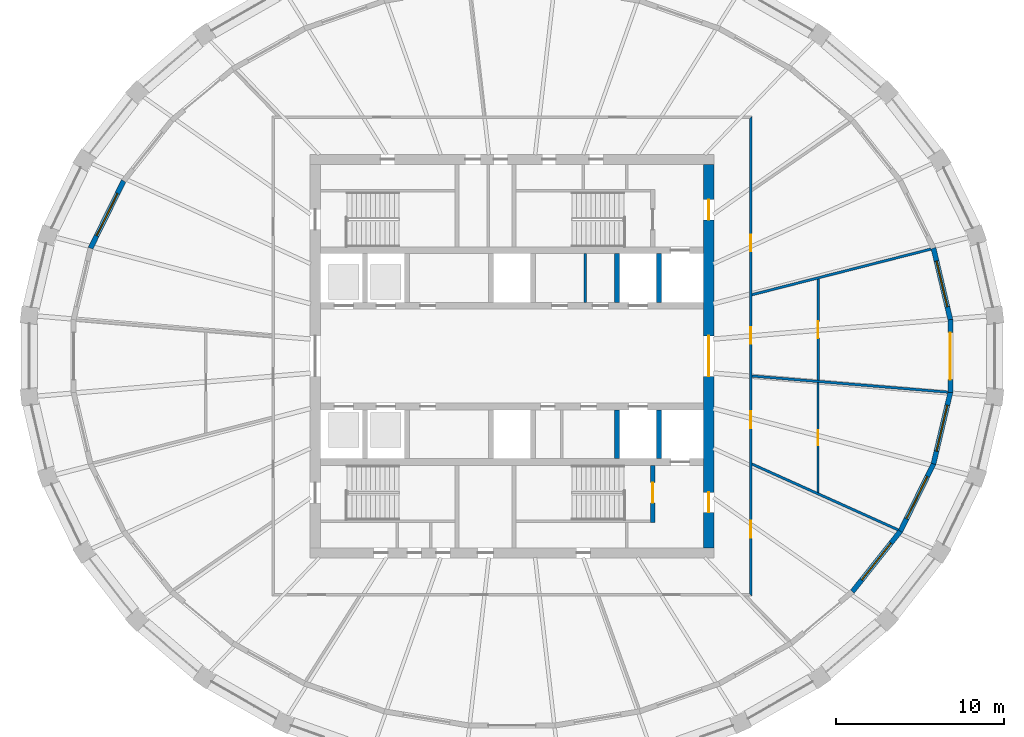
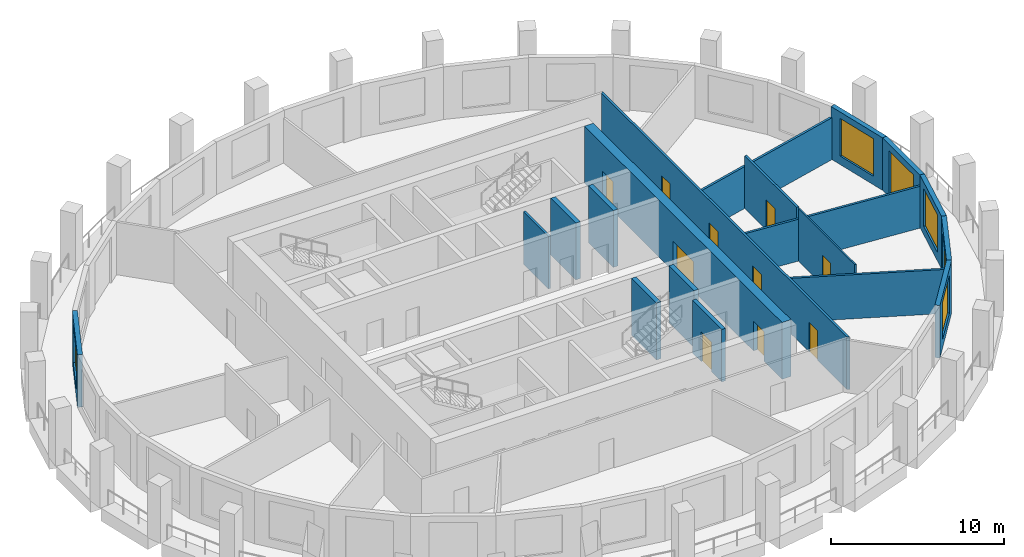
# One storey, part 5 of 10: 19 walls, 11 doors, 5 windows, 16 openings.
"""IFC4 building model written with IfcOpenShell, lengths in metres."""

from ifc_helpers import new_model, si_unit, direction, frame, frame_2d, origin, place, context, subcontext, project, spatial, polyline, rectangle, outline, extrude, material, layer, layer_set, type_object, element, fill, save


model = new_model("IFC4")

# Units and contexts
model_context = context("Model", 3, precision=1e-05, world=origin(), true_north=direction((0.0, 1.0)))
body_context = subcontext(model_context, "Body", "Model", "MODEL_VIEW")
ifc_project = project(units=[si_unit("LENGTHUNIT", "METRE"), si_unit("AREAUNIT", "SQUARE_METRE"), si_unit("VOLUMEUNIT", "CUBIC_METRE"), si_unit("PLANEANGLEUNIT", "RADIAN"), si_unit("MASSUNIT", "GRAM", prefix="KILO")], contexts=[model_context])

# Site, building, storey
site_placement = place(None, origin())
site = spatial("IfcSite", under=ifc_project, at=site_placement, CompositionType="ELEMENT")
building_placement = place(site_placement, origin())
building = spatial("IfcBuilding", under=site, at=building_placement, Name="Halqa Exchange Tower", CompositionType="ELEMENT")
storey_placement = place(building_placement, frame((0.0, 0.0, 304.300048828125)))
storey = spatial("IfcBuildingStorey", under=building, at=storey_placement, Name="L71", CompositionType="ELEMENT", Elevation=304.300048828125)

# Wall, opening, door
ifc_material_1 = material(Name="Gypsum board")
ifc_layer_1 = layer(ifc_material_1, 0.14990234375)
ifc_layer_set_1 = layer_set([ifc_layer_1], Name="Gypsum board")
wall_type_1 = type_object("IfcWallType", Name="Acoustic partition 150", PredefinedType="PARTITIONING", material=ifc_layer_set_1)
wall_1_placement = place(storey_placement, frame((18.199951171875, 4.591552734375, 0.0), z_axis=(0.0, 0.0, 1.0), x_axis=(0.0, -1.0, 0.0)))
wall_1 = element("IfcWall", 1, at=wall_1_placement, inside=storey, type_object=wall_type_1, Name="L71-PWL-019", PredefinedType="PARTITIONING", context=body_context, shape_type="SweptSolid", body=[
    extrude(outline(polyline([(0.0380859375, -0.074951171875), (2.031982421875, -0.074951171875), (4.025634765625, -0.074951171875), (6.01953125, -0.074951171875), (6.031494140625, 0.069580078125), (6.031494140625, 0.074951171875), (4.523681640625, 0.074951171875), (3.015625, 0.074951171875), (1.5078125, 0.074951171875), (0.0, 0.074951171875), (0.0, 0.07421875), (0.0380859375, -0.074951171875)])), origin(), (0.0, 0.0, 1.0), 3.699951171875),
])
opening_1_placement = place(wall_1_placement, frame((2.521484375, 0.0, 0.0)))
opening_1 = element("IfcOpeningElement", 2, at=opening_1_placement, cuts=wall_1, Name="Opening 22-15", PredefinedType="OPENING", context=body_context, shape_type="SweptSolid", body=[
    extrude(rectangle(XDim=1.0, YDim=2.10009765625, at=frame_2d((0.5, 1.050048828125))), frame((0.0, 0.0869140625, 0.0), z_axis=(0.0, -1.0, 0.0), x_axis=(1.0, 0.0, 0.0)), (0.0, 0.0, 1.0), 0.173828125),
])
ifc_material_2 = material(Name="Timber door leaf", Category="wood")
door_type_1 = type_object("IfcDoorType", Name="Acoustic door 1000 x 2100", OperationType="SINGLE_SWING_LEFT", PredefinedType="DOOR", material=ifc_material_2)
door_1_placement = place(opening_1_placement, frame((1.0, 0.0, 0.0), z_axis=(0.0, 0.0, 1.0), x_axis=(-1.0, 0.0, 0.0)))
door_1 = element("IfcDoor", 3, at=door_1_placement, inside=storey, type_object=door_type_1, Name="L71-IDR-015", OperationType="SINGLE_SWING_RIGHT", OverallHeight=2.10009765625, OverallWidth=1.0, PredefinedType="DOOR", context=body_context, shape_type="SweptSolid", body=[
    extrude(rectangle(XDim=1.0, YDim=2.10009765625, at=frame_2d((0.5, 1.050048828125))), frame((0.0, 0.02490234375, 0.0), z_axis=(0.0, -1.0, 0.0), x_axis=(1.0, 0.0, 0.0)), (0.0, 0.0, 1.0), 0.050048828125),
])
fill(opening_1, door_1)

# Wall, openings, doors
ifc_material_3 = material(Name="Fire-rated gypsum board")
ifc_layer_2 = layer(ifc_material_3, 0.14990234375)
ifc_layer_set_2 = layer_set([ifc_layer_2], Name="Fire-rated gypsum board")
wall_type_2 = type_object("IfcWallType", Name="Fire partition EI 60 150", PredefinedType="PARTITIONING", material=ifc_layer_set_2)
wall_2_placement = place(storey_placement, frame((14.199951171875, -14.27490234375, 0.0), z_axis=(0.0, 0.0, 1.0), x_axis=(0.0, 1.0, 0.0)))
wall_2 = element("IfcWall", 4, at=wall_2_placement, inside=storey, type_object=wall_type_2, Name="L71-PWL-013", PredefinedType="PARTITIONING", context=body_context, shape_type="SweptSolid", body=[
    extrude(outline(polyline([(28.5498046875, -0.074951171875), (28.5498046875, -0.074951171875), (28.39990234375, 0.074951171875), (26.5166015625, 0.074951171875), (24.63330078125, 0.074951171875), (22.75, 0.074951171875), (20.866455078125, 0.074951171875), (18.983154296875, 0.074951171875), (17.099853515625, 0.074951171875), (15.216552734375, 0.074951171875), (13.333251953125, 0.074951171875), (11.449951171875, 0.074951171875), (9.566650390625, 0.074951171875), (7.683349609375, 0.074951171875), (5.7998046875, 0.074951171875), (3.91650390625, 0.074951171875), (2.033203125, 0.074951171875), (0.14990234375, 0.074951171875), (0.0, -0.074951171875), (1.9033203125, -0.074951171875), (3.806640625, -0.074951171875), (5.7099609375, -0.074951171875), (7.61328125, -0.074951171875), (9.5166015625, -0.074951171875), (11.419921875, -0.074951171875), (13.3232421875, -0.074951171875), (15.2265625, -0.074951171875), (17.1298828125, -0.074951171875), (19.033203125, -0.074951171875), (20.9365234375, -0.074951171875), (22.83984375, -0.074951171875), (24.7431640625, -0.074951171875), (26.646484375, -0.074951171875), (28.5498046875, -0.074951171875)])), origin(), (0.0, 0.0, 1.0), 3.699951171875),
])
opening_2_placement = place(wall_2_placement, frame((3.47998046875, 0.0, 0.0)))
opening_2 = element("IfcOpeningElement", 5, at=opening_2_placement, cuts=wall_2, Name="Opening 22-07", PredefinedType="OPENING", context=body_context, shape_type="SweptSolid", body=[
    extrude(rectangle(XDim=1.0, YDim=2.10009765625, at=frame_2d((0.5, 1.050048828125))), frame((0.0, 0.0869140625, 0.0), z_axis=(0.0, -1.0, 0.0), x_axis=(1.0, 0.0, 0.0)), (0.0, 0.0, 1.0), 0.173828125),
])
opening_3_placement = place(wall_2_placement, frame((9.989990234375, 0.0, 0.0)))
opening_3 = element("IfcOpeningElement", 6, at=opening_3_placement, cuts=wall_2, Name="Opening 22-08", PredefinedType="OPENING", context=body_context, shape_type="SweptSolid", body=[
    extrude(rectangle(XDim=1.0, YDim=2.10009765625, at=frame_2d((0.5, 1.050048828125))), frame((0.0, 0.0869140625, 0.0), z_axis=(0.0, -1.0, 0.0), x_axis=(1.0, 0.0, 0.0)), (0.0, 0.0, 1.0), 0.173828125),
])
opening_4_placement = place(wall_2_placement, frame((15.0, 0.0, 0.0)))
opening_4 = element("IfcOpeningElement", 7, at=opening_4_placement, cuts=wall_2, Name="Opening 22-09", PredefinedType="OPENING", context=body_context, shape_type="SweptSolid", body=[
    extrude(rectangle(XDim=1.0, YDim=2.10009765625, at=frame_2d((0.5, 1.050048828125))), frame((0.0, 0.0869140625, 0.0), z_axis=(0.0, -1.0, 0.0), x_axis=(1.0, 0.0, 0.0)), (0.0, 0.0, 1.0), 0.173828125),
])
opening_5_placement = place(wall_2_placement, frame((20.4951171875, 0.0, 0.0)))
opening_5 = element("IfcOpeningElement", 8, at=opening_5_placement, cuts=wall_2, Name="Opening 22-10", PredefinedType="OPENING", context=body_context, shape_type="SweptSolid", body=[
    extrude(rectangle(XDim=1.0, YDim=2.10009765625, at=frame_2d((0.5, 1.050048828125))), frame((0.0, 0.0869140625, 0.0), z_axis=(0.0, -1.0, 0.0), x_axis=(1.0, 0.0, 0.0)), (0.0, 0.0, 1.0), 0.173828125),
])
ifc_material_4 = material(Name="Steel fire door leaf", Category="steel")
door_type_2 = type_object("IfcDoorType", Name="Fire door FD30S 1000 x 2100", OperationType="SINGLE_SWING_LEFT", PredefinedType="DOOR", material=ifc_material_4)
door_2_placement = place(opening_2_placement, frame((1.0, 0.0, 0.0), z_axis=(0.0, 0.0, 1.0), x_axis=(-1.0, 0.0, 0.0)))
door_2 = element("IfcDoor", 9, at=door_2_placement, inside=storey, type_object=door_type_2, Name="L71-IDR-007", OperationType="SINGLE_SWING_RIGHT", OverallHeight=2.10009765625, OverallWidth=1.0, PredefinedType="DOOR", context=body_context, shape_type="SweptSolid", body=[
    extrude(rectangle(XDim=1.0, YDim=2.10009765625, at=frame_2d((0.5, 1.050048828125))), frame((0.0, 0.02490234375, 0.0), z_axis=(0.0, -1.0, 0.0), x_axis=(1.0, 0.0, 0.0)), (0.0, 0.0, 1.0), 0.050048828125),
])
fill(opening_2, door_2)
door_3_placement = place(opening_3_placement, frame((1.0, 0.0, 0.0), z_axis=(0.0, 0.0, 1.0), x_axis=(-1.0, 0.0, 0.0)))
door_3 = element("IfcDoor", 10, at=door_3_placement, inside=storey, type_object=door_type_2, Name="L71-IDR-008", OperationType="SINGLE_SWING_RIGHT", OverallHeight=2.10009765625, OverallWidth=1.0, PredefinedType="DOOR", context=body_context, shape_type="SweptSolid", body=[
    extrude(rectangle(XDim=1.0, YDim=2.10009765625, at=frame_2d((0.5, 1.050048828125))), frame((0.0, 0.02490234375, 0.0), z_axis=(0.0, -1.0, 0.0), x_axis=(1.0, 0.0, 0.0)), (0.0, 0.0, 1.0), 0.050048828125),
])
fill(opening_3, door_3)
door_4_placement = place(opening_4_placement, frame((1.0, 0.0, 0.0), z_axis=(0.0, 0.0, 1.0), x_axis=(-1.0, 0.0, 0.0)))
door_4 = element("IfcDoor", 11, at=door_4_placement, inside=storey, type_object=door_type_2, Name="L71-IDR-009", OperationType="SINGLE_SWING_RIGHT", OverallHeight=2.10009765625, OverallWidth=1.0, PredefinedType="DOOR", context=body_context, shape_type="SweptSolid", body=[
    extrude(rectangle(XDim=1.0, YDim=2.10009765625, at=frame_2d((0.5, 1.050048828125))), frame((0.0, 0.02490234375, 0.0), z_axis=(0.0, -1.0, 0.0), x_axis=(1.0, 0.0, 0.0)), (0.0, 0.0, 1.0), 0.050048828125),
])
fill(opening_4, door_4)
door_5_placement = place(opening_5_placement, frame((1.0, 0.0, 0.0), z_axis=(0.0, 0.0, 1.0), x_axis=(-1.0, 0.0, 0.0)))
door_5 = element("IfcDoor", 12, at=door_5_placement, inside=storey, type_object=door_type_2, Name="L71-IDR-010", OperationType="SINGLE_SWING_LEFT", OverallHeight=2.10009765625, OverallWidth=1.0, PredefinedType="DOOR", context=body_context, shape_type="SweptSolid", body=[
    extrude(rectangle(XDim=1.0, YDim=2.10009765625, at=frame_2d((0.5, 1.050048828125))), frame((0.0, 0.02490234375, 0.0), z_axis=(0.0, -1.0, 0.0), x_axis=(1.0, 0.0, 0.0)), (0.0, 0.0, 1.0), 0.050048828125),
])
fill(opening_5, door_5)

# Walls
wall_3_placement = place(storey_placement, frame((14.24462890625, -6.41015625, 0.0), z_axis=(0.0, 0.0, 1.0), x_axis=(0.911854164739, -0.410514289944, 0.0)))
element("IfcWall", 13, at=wall_3_placement, inside=storey, type_object=wall_type_2, Name="L71-PWL-014", PredefinedType="PARTITIONING", context=body_context, shape_type="SweptSolid", body=[
    extrude(outline(polyline([(0.067138671875, -0.074951171875), (1.962646484375, -0.074951171875), (3.858154296875, -0.074951171875), (5.753662109375, -0.074951171875), (7.649169921875, -0.074951171875), (9.544677734375, -0.074951171875), (9.564453125, 0.0029296875), (9.566650390625, 0.06884765625), (9.566650390625, 0.074951171875), (7.795166015625, 0.074951171875), (6.02392578125, 0.074951171875), (4.25244140625, 0.074951171875), (4.249755859375, 0.07373046875), (4.249267578125, 0.074951171875), (2.832763671875, 0.074951171875), (1.41650390625, 0.074951171875), (0.0, 0.074951171875), (0.0, 0.073974609375), (0.067138671875, -0.074951171875)])), origin(), (0.0, 0.0, 1.0), 3.099853515625),
])
wall_4_placement = place(storey_placement, frame((14.269287109375, -1.185791015625, 0.0), z_axis=(0.0, 0.0, 1.0), x_axis=(0.996625584757, -0.082081933503, 0.0)))
element("IfcWall", 14, at=wall_4_placement, inside=storey, type_object=wall_type_2, Name="L71-PWL-015", PredefinedType="PARTITIONING", context=body_context, shape_type="SweptSolid", body=[
    extrude(outline(polyline([(0.011962890625, -0.074951171875), (1.9560546875, -0.074951171875), (3.900146484375, -0.074951171875), (5.84423828125, -0.074951171875), (7.788330078125, -0.074951171875), (9.732421875, -0.074951171875), (11.67626953125, -0.074951171875), (11.68017578125, -0.0498046875), (11.68017578125, 0.074951171875), (9.7333984375, 0.074951171875), (7.786865234375, 0.074951171875), (5.840087890625, 0.074951171875), (3.893310546875, 0.074951171875), (1.94677734375, 0.074951171875), (0.0, 0.074951171875), (0.0, 0.069580078125), (0.011962890625, -0.074951171875)])), origin(), (0.0, 0.0, 1.0), 2.947021484375),
])
wall_5_placement = place(storey_placement, frame((14.256591796875, 3.64453125, 0.0), z_axis=(0.0, 0.0, 1.0), x_axis=(0.968996414646, 0.247074783017, 0.0)))
element("IfcWall", 15, at=wall_5_placement, inside=storey, type_object=wall_type_2, Name="L71-PWL-016", PredefinedType="PARTITIONING", context=body_context, shape_type="SweptSolid", body=[
    extrude(outline(polyline([(0.0, -0.074951171875), (1.986572265625, -0.074951171875), (3.97314453125, -0.074951171875), (3.973388671875, -0.073486328125), (3.97900390625, -0.074951171875), (5.735107421875, -0.074951171875), (7.4912109375, -0.074951171875), (9.24755859375, -0.074951171875), (11.003662109375, -0.074951171875), (11.003662109375, 0.007568359375), (10.989501953125, 0.074951171875), (9.164306640625, 0.074951171875), (7.339111328125, 0.074951171875), (5.513916015625, 0.074951171875), (3.6884765625, 0.074951171875), (1.86328125, 0.074951171875), (0.0380859375, 0.074951171875), (0.0, -0.074462890625), (0.0, -0.074951171875)])), origin(), (0.0, 0.0, 1.0), 2.947021484375),
])

# Wall, opening, door
ifc_layer_3 = layer(ifc_material_1, 0.10009765625)
ifc_layer_set_3 = layer_set([ifc_layer_3], Name="Gypsum board")
wall_type_3 = type_object("IfcWallType", Name="Partition 100 gypsum", PredefinedType="PARTITIONING", material=ifc_layer_set_3)
wall_6_placement = place(storey_placement, frame((18.199951171875, -1.5810546875, 0.0), z_axis=(0.0, 0.0, 1.0), x_axis=(0.0, -1.0, 0.0)))
wall_6 = element("IfcWall", 16, at=wall_6_placement, inside=storey, type_object=wall_type_3, Name="L71-PWL-018", PredefinedType="PARTITIONING", context=body_context, shape_type="SweptSolid", body=[
    extrude(outline(polyline([(0.0, -0.050048828125), (1.626220703125, -0.050048828125), (3.25244140625, -0.050048828125), (4.878662109375, -0.050048828125), (6.505126953125, -0.050048828125), (6.550048828125, 0.050048828125), (6.550048828125, 0.050048828125), (4.91455078125, 0.050048828125), (3.27880859375, 0.050048828125), (1.643310546875, 0.050048828125), (0.0078125, 0.050048828125), (0.0, -0.044189453125), (0.0, -0.050048828125)])), origin(), (0.0, 0.0, 1.0), 3.699951171875),
])
opening_6_placement = place(wall_6_placement, frame((2.819091796875, 0.0, 0.0)))
opening_6 = element("IfcOpeningElement", 17, at=opening_6_placement, cuts=wall_6, Name="Opening 22-14", PredefinedType="OPENING", context=body_context, shape_type="SweptSolid", body=[
    extrude(rectangle(XDim=0.89990234375, YDim=2.10009765625, at=frame_2d((0.449951171875, 1.050048828125))), frame((0.0, 0.06201171875, 0.0), z_axis=(0.0, -1.0, 0.0), x_axis=(1.0, 0.0, 0.0)), (0.0, 0.0, 1.0), 0.1240234375),
])
door_type_3 = type_object("IfcDoorType", Name="Door 900 x 2100", OperationType="SINGLE_SWING_LEFT", PredefinedType="DOOR", material=ifc_material_2)
door_6_placement = place(opening_6_placement, frame((0.89990234375, 0.0, 0.0), z_axis=(0.0, 0.0, 1.0), x_axis=(-1.0, 0.0, 0.0)))
door_6 = element("IfcDoor", 18, at=door_6_placement, inside=storey, type_object=door_type_3, Name="L71-IDR-014", OperationType="SINGLE_SWING_RIGHT", OverallHeight=2.10009765625, OverallWidth=0.89990234375, PredefinedType="DOOR", context=body_context, shape_type="SweptSolid", body=[
    extrude(rectangle(XDim=0.89990234375, YDim=2.10009765625, at=frame_2d((0.449951171875, 1.050048828125))), frame((0.0, 0.02490234375, 0.0), z_axis=(0.0, -1.0, 0.0), x_axis=(1.0, 0.0, 0.0)), (0.0, 0.0, 1.0), 0.050048828125),
])
fill(opening_6, door_6)

# Walls
ifc_layer_4 = layer(ifc_material_1, 0.14990234375)
ifc_layer_set_4 = layer_set([ifc_layer_4], Name="Gypsum board")
wall_type_4 = type_object("IfcWallType", Name="Penthouse riser wall 150 gypsum", PredefinedType="PARTITIONING", material=ifc_layer_set_4)
wall_7_placement = place(storey_placement, frame((4.35009765625, 3.199951171875, 0.0), z_axis=(0.0, 0.0, 1.0), x_axis=(0.0, 1.0, 0.0)))
element("IfcWall", 19, at=wall_7_placement, inside=storey, type_object=wall_type_4, Name="Freed bay partition NE4.350", PredefinedType="PARTITIONING", context=body_context, shape_type="SweptSolid", body=[
    extrude(rectangle(XDim=2.900146484375, YDim=0.14990234375, at=frame_2d((1.4501953125, 0.0))), origin(), (0.0, 0.0, 1.0), 3.699951171875),
])
ifc_material_5 = material(Name="Concrete C60/75", Category="concrete")
ifc_layer_5 = layer(ifc_material_5, 0.300048828125)
ifc_layer_set_5 = layer_set([ifc_layer_5], Name="Concrete C60/75")
wall_type_5 = type_object("IfcWallType", Name="RC core wall 300", PredefinedType="SHEAR", material=ifc_layer_set_5)
for number, where, z_axis, x_axis, name in (
    (20, (6.25, 3.199951171875, 0.0), (0.0, 0.0, 1.0), (0.0, 1.0, 0.0), "Shaft divider N7"),
    (21, (8.75, 3.199951171875, 0.0), (0.0, 0.0, 1.0), (0.0, 1.0, 0.0), "Shaft divider N8"),
    (22, (6.25, -6.10009765625, 0.0), (0.0, 0.0, 1.0), (0.0, 1.0, 0.0), "Shaft divider S7"),
    (23, (8.75, -6.10009765625, 0.0), (0.0, 0.0, 1.0), (0.0, 1.0, 0.0), "Shaft divider S8"),
):
    element("IfcWall", number, at=place(storey_placement, frame(where, z_axis=z_axis, x_axis=x_axis)), inside=storey, type_object=wall_type_5, Name=name, PredefinedType="SHEAR", context=body_context, shape_type="SweptSolid", body=[
        extrude(rectangle(XDim=2.900146484375, YDim=0.300048828125, at=frame_2d((1.4501953125, 0.0))), origin(), (0.0, 0.0, 1.0), 4.0),
    ])

# Wall, openings, doors
ifc_layer_6 = layer(ifc_material_5, 0.60009765625)
ifc_layer_set_6 = layer_set([ifc_layer_6], Name="Concrete C60/75")
wall_type_6 = type_object("IfcWallType", Name="RC core wall 600 C60/75", PredefinedType="SHEAR", material=ifc_layer_set_6)
wall_8_placement = place(storey_placement, frame((11.699951171875, -11.39990234375, 0.0), z_axis=(0.0, 0.0, 1.0), x_axis=(0.0, 1.0, 0.0)))
wall_8 = element("IfcWall", 24, at=wall_8_placement, inside=storey, type_object=wall_type_6, Name="Core wall east", PredefinedType="SHEAR", context=body_context, shape_type="SweptSolid", body=[
    extrude(rectangle(XDim=22.7998046875, YDim=0.60009765625, at=frame_2d((11.39990234375, 0.0))), origin(), (0.0, 0.0, 1.0), 4.0),
])
opening_7_placement = place(wall_8_placement, frame((10.199951171875, 0.0, 0.0)))
opening_7 = element("IfcOpeningElement", 25, at=opening_7_placement, cuts=wall_8, Name="Opening T22-C10", PredefinedType="OPENING", context=body_context, shape_type="SweptSolid", body=[
    extrude(rectangle(XDim=2.39990234375, YDim=2.10009765625, at=frame_2d((1.199951171875, 1.050048828125))), frame((0.0, 0.31201171875, 0.0), z_axis=(0.0, -1.0, 0.0), x_axis=(1.0, 0.0, 0.0)), (0.0, 0.0, 1.0), 0.6240234375),
])
opening_8_placement = place(wall_8_placement, frame((19.5, 0.0, 0.0)))
opening_8 = element("IfcOpeningElement", 26, at=opening_8_placement, cuts=wall_8, Name="Opening T22-C15", PredefinedType="OPENING", context=body_context, shape_type="SweptSolid", body=[
    extrude(rectangle(XDim=1.199951171875, YDim=2.10009765625, at=frame_2d((0.60009765625, 1.050048828125))), frame((0.0, 0.31201171875, 0.0), z_axis=(0.0, -1.0, 0.0), x_axis=(1.0, 0.0, 0.0)), (0.0, 0.0, 1.0), 0.6240234375),
])
opening_9_placement = place(wall_8_placement, frame((2.10009765625, 0.0, 0.0)))
opening_9 = element("IfcOpeningElement", 27, at=opening_9_placement, cuts=wall_8, Name="Opening T22-C16", PredefinedType="OPENING", context=body_context, shape_type="SweptSolid", body=[
    extrude(rectangle(XDim=1.199951171875, YDim=2.10009765625, at=frame_2d((0.60009765625, 1.050048828125))), frame((0.0, 0.31201171875, 0.0), z_axis=(0.0, -1.0, 0.0), x_axis=(1.0, 0.0, 0.0)), (0.0, 0.0, 1.0), 0.6240234375),
])
door_type_4 = type_object("IfcDoorType", Name="Firefighting lobby door FD90 1200 x 2100", OperationType="SINGLE_SWING_RIGHT", PredefinedType="DOOR", material=ifc_material_4)
door_7_placement = place(opening_8_placement, origin())
door_7 = element("IfcDoor", 28, at=door_7_placement, inside=storey, type_object=door_type_4, Name="Firefighting lobby door", OperationType="SINGLE_SWING_RIGHT", OverallHeight=2.10009765625, OverallWidth=1.199951171875, PredefinedType="DOOR", context=body_context, shape_type="SweptSolid", body=[
    extrude(rectangle(XDim=1.199951171875, YDim=2.10009765625, at=frame_2d((0.60009765625, 1.050048828125))), frame((0.0, 0.02490234375, 0.0), z_axis=(0.0, -1.0, 0.0), x_axis=(1.0, 0.0, 0.0)), (0.0, 0.0, 1.0), 0.050048828125),
])
fill(opening_8, door_7)
door_8_placement = place(opening_9_placement, origin())
door_8 = element("IfcDoor", 29, at=door_8_placement, inside=storey, type_object=door_type_4, Name="Firefighting lobby door", OperationType="SINGLE_SWING_LEFT", OverallHeight=2.10009765625, OverallWidth=1.199951171875, PredefinedType="DOOR", context=body_context, shape_type="SweptSolid", body=[
    extrude(rectangle(XDim=1.199951171875, YDim=2.10009765625, at=frame_2d((0.60009765625, 1.050048828125))), frame((0.0, 0.02490234375, 0.0), z_axis=(0.0, -1.0, 0.0), x_axis=(1.0, 0.0, 0.0)), (0.0, 0.0, 1.0), 0.050048828125),
])
fill(opening_9, door_8)
door_type_5 = type_object("IfcDoorType", Name="Lobby double door FD60 2400 x 2100", OperationType="DOUBLE_DOOR_SINGLE_SWING", PredefinedType="DOOR", material=ifc_material_4)
door_9_placement = place(opening_7_placement, origin())
door_9 = element("IfcDoor", 30, at=door_9_placement, inside=storey, type_object=door_type_5, Name="Lift lobby double door", OperationType="DOUBLE_DOOR_SINGLE_SWING", OverallHeight=2.10009765625, OverallWidth=2.39990234375, PredefinedType="DOOR", context=body_context, shape_type="SweptSolid", body=[
    extrude(rectangle(XDim=2.39990234375, YDim=2.10009765625, at=frame_2d((1.199951171875, 1.050048828125))), frame((0.0, 0.02490234375, 0.0), z_axis=(0.0, -1.0, 0.0), x_axis=(1.0, 0.0, 0.0)), (0.0, 0.0, 1.0), 0.050048828125),
])
fill(opening_7, door_9)

# Wall, opening, door
ifc_material_6 = material(Name="Concrete C30/37", Category="concrete")
ifc_layer_7 = layer(ifc_material_6, 0.25)
ifc_layer_set_7 = layer_set([ifc_layer_7], Name="Concrete C30/37")
wall_type_7 = type_object("IfcWallType", Name="RC stair wall 250 C30/37", PredefinedType="SHEAR", material=ifc_layer_set_7)
wall_9_placement = place(storey_placement, frame((8.375, -9.89990234375, 0.0), z_axis=(0.0, 0.0, 1.0), x_axis=(0.0, 1.0, 0.0)))
wall_9 = element("IfcWall", 31, at=wall_9_placement, inside=storey, type_object=wall_type_7, Name="Stair ST2 east wall S", PredefinedType="SHEAR", context=body_context, shape_type="SweptSolid", body=[
    extrude(rectangle(XDim=3.39990234375, YDim=0.25, at=frame_2d((1.699951171875, 0.0))), origin(), (0.0, 0.0, 1.0), 3.699951171875),
])
opening_10_placement = place(wall_9_placement, frame((1.175048828125, 0.0, 0.0)))
opening_10 = element("IfcOpeningElement", 32, at=opening_10_placement, cuts=wall_9, Name="Opening T22-C14", PredefinedType="OPENING", context=body_context, shape_type="SweptSolid", body=[
    extrude(rectangle(XDim=1.199951171875, YDim=2.10009765625, at=frame_2d((0.60009765625, 1.050048828125))), frame((0.0, 0.136962890625, 0.0), z_axis=(0.0, -1.0, 0.0), x_axis=(1.0, 0.0, 0.0)), (0.0, 0.0, 1.0), 0.27392578125),
])
door_type_6 = type_object("IfcDoorType", Name="Stair door FD90 1200 x 2100", OperationType="SINGLE_SWING_LEFT", PredefinedType="DOOR", material=ifc_material_4)
door_10_placement = place(opening_10_placement, origin())
door_10 = element("IfcDoor", 33, at=door_10_placement, inside=storey, type_object=door_type_6, Name="Stair door ST4", OperationType="SINGLE_SWING_LEFT", OverallHeight=2.10009765625, OverallWidth=1.199951171875, PredefinedType="DOOR", context=body_context, shape_type="SweptSolid", body=[
    extrude(rectangle(XDim=1.199951171875, YDim=2.10009765625, at=frame_2d((0.60009765625, 1.050048828125))), frame((0.0, 0.02490234375, 0.0), z_axis=(0.0, -1.0, 0.0), x_axis=(1.0, 0.0, 0.0)), (0.0, 0.0, 1.0), 0.050048828125),
])
fill(opening_10, door_10)

# Wall, opening, window
ifc_material_7 = material(Name="Limestone cladding", Category="masonry")
ifc_layer_8 = layer(ifc_material_7, 0.0400390625)
ifc_material_8 = material(Name="Ventilated cavity")
ifc_layer_9 = layer(ifc_material_8, 0.030029296875, ventilated=True)
ifc_material_9 = material(Name="Mineral wool insulation")
ifc_layer_10 = layer(ifc_material_9, 0.10009765625)
ifc_layer_11 = layer(ifc_material_6, 0.10009765625)
ifc_material_10 = material(Name="Internal plaster")
ifc_layer_12 = layer(ifc_material_10, 0.030029296875)
ifc_layer_set_8 = layer_set([ifc_layer_8, ifc_layer_9, ifc_layer_10, ifc_layer_11, ifc_layer_12], Name="Stone-faced insulated wall 300")
wall_type_8 = type_object("IfcWallType", Name="Stone-faced insulated wall 300", PredefinedType="STANDARD", material=ifc_layer_set_8)
wall_10_placement = place(storey_placement, frame((26.066650390625, 2.166259765625, 0.0), z_axis=(0.0, 0.0, 1.0), x_axis=(-0.229974411334, 0.973196675977, 0.0)))
wall_10 = element("IfcWall", 34, at=wall_10_placement, inside=storey, type_object=wall_type_8, Name="Glass-line wall 1", PredefinedType="STANDARD", context=body_context, shape_type="SweptSolid", body=[
    extrude(outline(polyline([(-0.017578125, -0.14990234375), (4.382080078125, -0.14990234375), (4.348388671875, 0.14990234375), (0.017578125, 0.14990234375), (-0.017578125, -0.14990234375)])), origin(), (0.0, 0.0, 1.0), 3.699951171875),
])
opening_11_placement = place(wall_10_placement, frame((0.78271484375, 0.0, 0.60009765625)))
opening_11 = element("IfcOpeningElement", 35, at=opening_11_placement, cuts=wall_10, Name="Opening W-F4-01", PredefinedType="OPENING", context=body_context, shape_type="SweptSolid", body=[
    extrude(rectangle(XDim=2.800048828125, YDim=2.64990234375, at=frame_2d((1.39990234375, 1.324951171875))), frame((0.0, 0.162109375, 0.0), z_axis=(0.0, -1.0, 0.0), x_axis=(1.0, 0.0, 0.0)), (0.0, 0.0, 1.0), 0.323974609375),
])
ifc_material_11 = material(Name="Clear low-emissivity glass in aluminium frame", Category="aluminium")
window_type = type_object("IfcWindowType", Name="Fixed clear glazed window 2800 x 2650", PartitioningType="DOUBLE_PANEL_VERTICAL", PredefinedType="WINDOW", material=ifc_material_11)
window_1_placement = place(opening_11_placement, origin())
window_1 = element("IfcWindow", 36, at=window_1_placement, inside=storey, type_object=window_type, Name="Window 4", OverallHeight=2.64990234375, OverallWidth=2.800048828125, PartitioningType="DOUBLE_PANEL_VERTICAL", PredefinedType="WINDOW", context=body_context, shape_type="SweptSolid", body=[
    extrude(rectangle(XDim=2.800048828125, YDim=2.64990234375, at=frame_2d((1.39990234375, 1.324951171875))), frame((0.0, 0.030029296875, 0.0), z_axis=(0.0, -1.0, 0.0), x_axis=(1.0, 0.0, 0.0)), (0.0, 0.0, 1.0), 0.06005859375),
])
fill(opening_11, window_1)

wall_11_placement = place(storey_placement, frame((-23.094482421875, 10.41455078125, 0.0), z_axis=(0.0, 0.0, 1.0), x_axis=(-0.441509050872, -0.897256796017, 0.0)))
wall_11 = element("IfcWall", 37, at=wall_11_placement, inside=storey, type_object=wall_type_8, Name="Glass-line wall 14", PredefinedType="STANDARD", context=body_context, shape_type="SweptSolid", body=[
    extrude(outline(polyline([(-0.01611328125, -0.14990234375), (4.474853515625, -0.14990234375), (4.441162109375, 0.14990234375), (0.01611328125, 0.14990234375), (-0.01611328125, -0.14990234375)])), origin(), (0.0, 0.0, 1.0), 3.699951171875),
])
opening_12_placement = place(wall_11_placement, frame((0.8291015625, 0.0, 0.60009765625)))
opening_12 = element("IfcOpeningElement", 38, at=opening_12_placement, cuts=wall_11, Name="Opening W-F4-14", PredefinedType="OPENING", context=body_context, shape_type="SweptSolid", body=[
    extrude(rectangle(XDim=2.800048828125, YDim=2.64990234375, at=frame_2d((1.39990234375, 1.324951171875))), frame((0.0, 0.162109375, 0.0), z_axis=(0.0, -1.0, 0.0), x_axis=(1.0, 0.0, 0.0)), (0.0, 0.0, 1.0), 0.323974609375),
])
window_2_placement = place(opening_12_placement, origin())
window_2 = element("IfcWindow", 39, at=window_2_placement, inside=storey, type_object=window_type, Name="Window 4", OverallHeight=2.64990234375, OverallWidth=2.800048828125, PartitioningType="DOUBLE_PANEL_VERTICAL", PredefinedType="WINDOW", context=body_context, shape_type="SweptSolid", body=[
    extrude(rectangle(XDim=2.800048828125, YDim=2.64990234375, at=frame_2d((1.39990234375, 1.324951171875))), frame((0.0, 0.030029296875, 0.0), z_axis=(0.0, -1.0, 0.0), x_axis=(1.0, 0.0, 0.0)), (0.0, 0.0, 1.0), 0.06005859375),
])
fill(opening_12, window_2)

wall_12_placement = place(storey_placement, frame((20.239013671875, -14.01220703125, 0.0), z_axis=(0.0, 0.0, 1.0), x_axis=(0.621682706372, 0.78326918272, 0.0)))
wall_12 = element("IfcWall", 40, at=wall_12_placement, inside=storey, type_object=wall_type_8, Name="Glass-line wall 29", PredefinedType="STANDARD", context=body_context, shape_type="SweptSolid", body=[
    extrude(outline(polyline([(-0.01513671875, -0.14990234375), (4.609130859375, -0.14990234375), (4.576904296875, 0.14990234375), (0.01513671875, 0.14990234375), (-0.01513671875, -0.14990234375)])), origin(), (0.0, 0.0, 1.0), 3.699951171875),
])
opening_13_placement = place(wall_12_placement, frame((0.896484375, 0.0, 0.60009765625)))
opening_13 = element("IfcOpeningElement", 41, at=opening_13_placement, cuts=wall_12, Name="Opening W-F4-29", PredefinedType="OPENING", context=body_context, shape_type="SweptSolid", body=[
    extrude(rectangle(XDim=2.800048828125, YDim=2.64990234375, at=frame_2d((1.39990234375, 1.324951171875))), frame((0.0, 0.162109375, 0.0), z_axis=(0.0, -1.0, 0.0), x_axis=(1.0, 0.0, 0.0)), (0.0, 0.0, 1.0), 0.323974609375),
])
window_3_placement = place(opening_13_placement, origin())
window_3 = element("IfcWindow", 42, at=window_3_placement, inside=storey, type_object=window_type, Name="Window 4", OverallHeight=2.64990234375, OverallWidth=2.800048828125, PartitioningType="DOUBLE_PANEL_VERTICAL", PredefinedType="WINDOW", context=body_context, shape_type="SweptSolid", body=[
    extrude(rectangle(XDim=2.800048828125, YDim=2.64990234375, at=frame_2d((1.39990234375, 1.324951171875))), frame((0.0, 0.030029296875, 0.0), z_axis=(0.0, -1.0, 0.0), x_axis=(1.0, 0.0, 0.0)), (0.0, 0.0, 1.0), 0.06005859375),
])
fill(opening_13, window_3)

wall_13_placement = place(storey_placement, frame((23.094482421875, -10.41455078125, 0.0), z_axis=(0.0, 0.0, 1.0), x_axis=(0.441509050872, 0.897256796017, 0.0)))
wall_13 = element("IfcWall", 43, at=wall_13_placement, inside=storey, type_object=wall_type_8, Name="Glass-line wall 30", PredefinedType="STANDARD", context=body_context, shape_type="SweptSolid", body=[
    extrude(outline(polyline([(-0.01611328125, -0.14990234375), (4.474853515625, -0.14990234375), (4.441162109375, 0.14990234375), (0.01611328125, 0.14990234375), (-0.01611328125, -0.14990234375)])), origin(), (0.0, 0.0, 1.0), 3.699951171875),
])
opening_14_placement = place(wall_13_placement, frame((0.8291015625, 0.0, 0.60009765625)))
opening_14 = element("IfcOpeningElement", 44, at=opening_14_placement, cuts=wall_13, Name="Opening W-F4-30", PredefinedType="OPENING", context=body_context, shape_type="SweptSolid", body=[
    extrude(rectangle(XDim=2.800048828125, YDim=2.64990234375, at=frame_2d((1.39990234375, 1.324951171875))), frame((0.0, 0.162109375, 0.0), z_axis=(0.0, -1.0, 0.0), x_axis=(1.0, 0.0, 0.0)), (0.0, 0.0, 1.0), 0.323974609375),
])
window_4_placement = place(opening_14_placement, origin())
window_4 = element("IfcWindow", 45, at=window_4_placement, inside=storey, type_object=window_type, Name="Window 4", OverallHeight=2.64990234375, OverallWidth=2.800048828125, PartitioningType="DOUBLE_PANEL_VERTICAL", PredefinedType="WINDOW", context=body_context, shape_type="SweptSolid", body=[
    extrude(rectangle(XDim=2.800048828125, YDim=2.64990234375, at=frame_2d((1.39990234375, 1.324951171875))), frame((0.0, 0.030029296875, 0.0), z_axis=(0.0, -1.0, 0.0), x_axis=(1.0, 0.0, 0.0)), (0.0, 0.0, 1.0), 0.06005859375),
])
fill(opening_14, window_4)

wall_14_placement = place(storey_placement, frame((25.062744140625, -6.41455078125, 0.0), z_axis=(0.0, 0.0, 1.0), x_axis=(0.229974411334, 0.973196675977, 0.0)))
wall_14 = element("IfcWall", 46, at=wall_14_placement, inside=storey, type_object=wall_type_8, Name="Glass-line wall 31", PredefinedType="STANDARD", context=body_context, shape_type="SweptSolid", body=[
    extrude(outline(polyline([(-0.016845703125, -0.14990234375), (4.3828125, -0.14990234375), (4.34765625, 0.14990234375), (0.016845703125, 0.14990234375), (-0.016845703125, -0.14990234375)])), origin(), (0.0, 0.0, 1.0), 3.699951171875),
])
opening_15_placement = place(wall_14_placement, frame((0.78271484375, 0.0, 0.60009765625)))
opening_15 = element("IfcOpeningElement", 47, at=opening_15_placement, cuts=wall_14, Name="Opening W-F4-31", PredefinedType="OPENING", context=body_context, shape_type="SweptSolid", body=[
    extrude(rectangle(XDim=2.800048828125, YDim=2.64990234375, at=frame_2d((1.39990234375, 1.324951171875))), frame((0.0, 0.162109375, 0.0), z_axis=(0.0, -1.0, 0.0), x_axis=(1.0, 0.0, 0.0)), (0.0, 0.0, 1.0), 0.323974609375),
])
window_5_placement = place(opening_15_placement, origin())
window_5 = element("IfcWindow", 48, at=window_5_placement, inside=storey, type_object=window_type, Name="Window 4", OverallHeight=2.64990234375, OverallWidth=2.800048828125, PartitioningType="DOUBLE_PANEL_VERTICAL", PredefinedType="WINDOW", context=body_context, shape_type="SweptSolid", body=[
    extrude(rectangle(XDim=2.800048828125, YDim=2.64990234375, at=frame_2d((1.39990234375, 1.324951171875))), frame((0.0, 0.030029296875, 0.0), z_axis=(0.0, -1.0, 0.0), x_axis=(1.0, 0.0, 0.0)), (0.0, 0.0, 1.0), 0.06005859375),
])
fill(opening_15, window_5)

# Wall, opening, door
wall_15_placement = place(storey_placement, frame((26.066650390625, -2.166259765625, 0.0), z_axis=(0.0, 0.0, 1.0), x_axis=(0.0, 1.0, 0.0)))
wall_15 = element("IfcWall", 49, at=wall_15_placement, inside=storey, type_object=wall_type_8, Name="Glass-line wall 32", PredefinedType="STANDARD", context=body_context, shape_type="SweptSolid", body=[
    extrude(outline(polyline([(-0.017578125, -0.14990234375), (4.35009765625, -0.14990234375), (4.31494140625, 0.14990234375), (0.017578125, 0.14990234375), (-0.017578125, -0.14990234375)])), origin(), (0.0, 0.0, 1.0), 3.699951171875),
])
opening_16_placement = place(wall_15_placement, frame((0.76611328125, 0.0, 0.0)))
opening_16 = element("IfcOpeningElement", 50, at=opening_16_placement, cuts=wall_15, Name="Opening LG-F4-08", PredefinedType="OPENING", context=body_context, shape_type="SweptSolid", body=[
    extrude(rectangle(XDim=2.800048828125, YDim=3.25, at=frame_2d((1.39990234375, 1.625))), frame((0.0, 0.162109375, 0.0), z_axis=(0.0, -1.0, 0.0), x_axis=(1.0, 0.0, 0.0)), (0.0, 0.0, 1.0), 0.323974609375),
])
door_type_7 = type_object("IfcDoorType", Name="Glazed sliding loggia door 2800 x 3250", OperationType="DOUBLE_DOOR_SLIDING", PredefinedType="DOOR", material=ifc_material_11)
door_11_placement = place(opening_16_placement, origin())
door_11 = element("IfcDoor", 51, at=door_11_placement, inside=storey, type_object=door_type_7, Name="Loggia door 8", OperationType="DOUBLE_DOOR_SLIDING", OverallHeight=3.25, OverallWidth=2.800048828125, PredefinedType="DOOR", context=body_context, shape_type="SweptSolid", body=[
    extrude(rectangle(XDim=2.800048828125, YDim=3.25, at=frame_2d((1.39990234375, 1.625))), frame((0.0, 0.02490234375, 0.0), z_axis=(0.0, -1.0, 0.0), x_axis=(1.0, 0.0, 0.0)), (0.0, 0.0, 1.0), 0.050048828125),
])
fill(opening_16, door_11)

save(model, "model.ifc")
